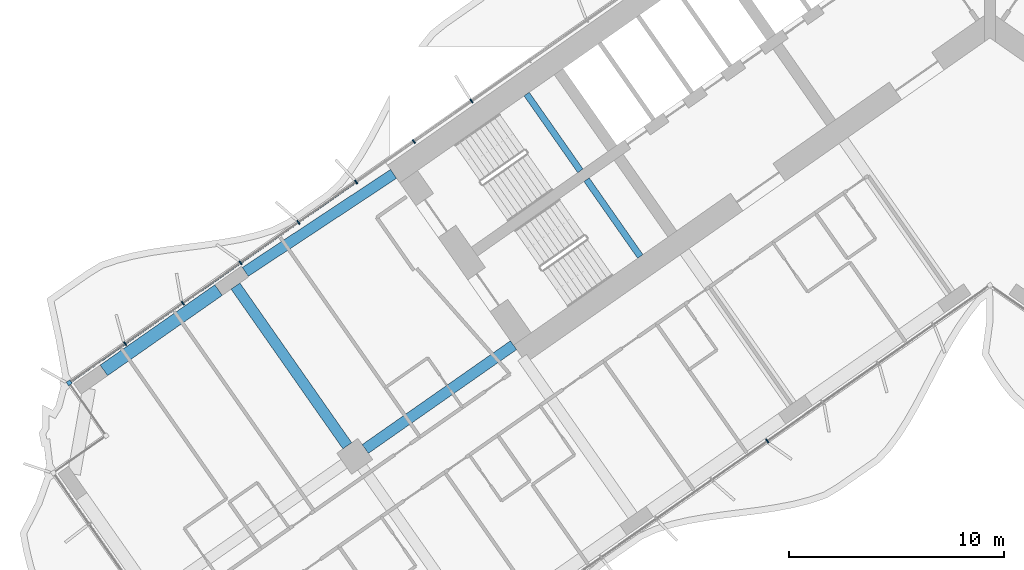
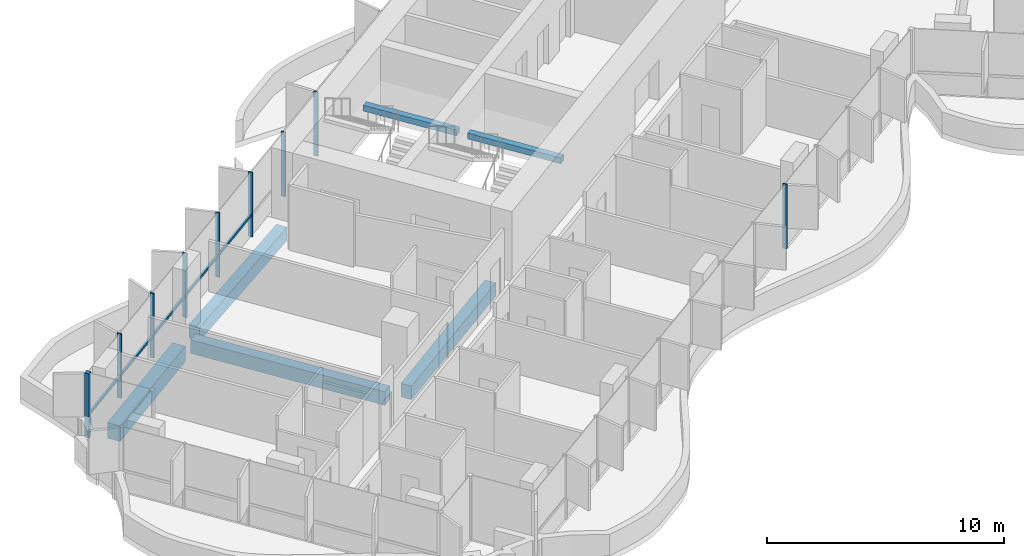
# One storey, part 4 of 25: 10 members, 6 beams, 2 elements without a shape of their own.
"""IFC4 building model written with IfcOpenShell, lengths in metres."""

from ifc_helpers import new_model, si_unit, direction, frame, origin, origin_2d, place, context, subcontext, project, spatial, rectangle, extrude, material, material_profile, profile_set, type_object, element, aggregate, save


model = new_model("IFC4")

# Units and contexts
model_context = context("Model", 3, precision=1e-05, world=origin(), true_north=direction((0.0, 1.0)))
body_context = subcontext(model_context, "Body", "Model", "MODEL_VIEW")
ifc_project = project(units=[si_unit("LENGTHUNIT", "METRE"), si_unit("AREAUNIT", "SQUARE_METRE"), si_unit("VOLUMEUNIT", "CUBIC_METRE"), si_unit("PLANEANGLEUNIT", "RADIAN"), si_unit("MASSUNIT", "GRAM", prefix="KILO")], contexts=[model_context])

# Site, building, storey
site_placement = place(None, origin())
site = spatial("IfcSite", under=ifc_project, at=site_placement, CompositionType="ELEMENT")
building_placement = place(site_placement, origin())
building = spatial("IfcBuilding", under=site, at=building_placement, Name="Tel Ilan Convention Tower", CompositionType="ELEMENT")
storey_placement = place(building_placement, frame((0.0, 0.0, 58.10009765625)))
storey = spatial("IfcBuildingStorey", under=building, at=storey_placement, Name="L09", CompositionType="ELEMENT", Elevation=58.10009765625)

# Beams
ifc_material_1 = material(Name="Concrete C40/50", Category="concrete")
ifc_material_profile_1 = material_profile(ifc_material_1, rectangle(XDim=0.5, YDim=0.699951171875, at=origin_2d()), Name="RC 500x700")
ifc_profile_set_1 = profile_set([ifc_material_profile_1], Name="Concrete C40/50")
beam_type_1 = type_object("IfcBeamType", Name="Beam RC 500x700 Concrete C40/50", PredefinedType="BEAM", material=ifc_profile_set_1)
beam_1_placement = place(storey_placement, frame((-34.570556640625, -12.08447265625, -0.630126953125), z_axis=(0.834273603487, 0.551350663847, 0.0), x_axis=(-0.551350663847, 0.834273603487, 0.0)))
element("IfcBeam", 1, at=beam_1_placement, inside=storey, type_object=beam_type_1, Name="L09 beam W-W-B4-core", PredefinedType="BEAM", context=body_context, shape_type="SweptSolid", body=[
    extrude(rectangle(XDim=0.5, YDim=0.699951171875, at=origin_2d()), origin(), (0.0, 0.0, 1.0), 8.2529296875),
])
beam_2_placement = place(storey_placement, frame((-22.1171875, -15.486572265625, -0.630126953125), z_axis=(-0.819147254605, -0.573583276668, 0.0), x_axis=(0.573583276668, -0.819147254605, 0.0)))
element("IfcBeam", 2, at=beam_2_placement, inside=storey, type_object=beam_type_1, Name="L09 beam W-core-W-M4", PredefinedType="BEAM", context=body_context, shape_type="SweptSolid", body=[
    extrude(rectangle(XDim=0.5, YDim=0.699951171875, at=origin_2d()), origin(), (0.0, 0.0, 1.0), 8.400146484375),
])
beam_3_placement = place(storey_placement, frame((-29.83349609375, -20.1572265625, -0.630126953125), z_axis=(-0.57358002233, 0.819149533348, 0.0), x_axis=(-0.819149533348, -0.57358002233, 0.0)))
element("IfcBeam", 3, at=beam_3_placement, inside=storey, type_object=beam_type_1, Name="L09 beam W-W-M4-W-B4", PredefinedType="BEAM", context=body_context, shape_type="SweptSolid", body=[
    extrude(rectangle(XDim=0.5, YDim=0.699951171875, at=origin_2d()), origin(), (0.0, 0.0, 1.0), 9.050048828125),
])
ifc_material_2 = material(Name="Concrete C40/50", Category="concrete")
ifc_material_profile_2 = material_profile(ifc_material_2, rectangle(XDim=0.60009765625, YDim=0.800048828125, at=origin_2d()), Name="RC 600x800")
ifc_profile_set_2 = profile_set([ifc_material_profile_2], Name="Concrete C40/50")
beam_type_2 = type_object("IfcBeamType", Name="Beam RC 600x800 Concrete C40/50", PredefinedType="BEAM", material=ifc_profile_set_2)
beam_4_placement = place(storey_placement, frame((-41.135498046875, -16.656494140625, -0.68017578125), z_axis=(0.819178980414, 0.573537965655, 0.0), x_axis=(-0.573537965655, 0.819178980414, 0.0)))
element("IfcBeam", 4, at=beam_4_placement, inside=storey, type_object=beam_type_2, Name="L09 beam W-W-BC-W-B4", PredefinedType="BEAM", context=body_context, shape_type="SweptSolid", body=[
    extrude(rectangle(XDim=0.60009765625, YDim=0.800048828125, at=origin_2d()), origin(), (0.0, 0.0, 1.0), 6.5),
])

# Curtain wall, member
ifc_material_3 = material(Name="Aluminium, bronze anodised", Category="aluminium")
curtain_wall_type_1 = type_object("IfcCurtainWallType", Name="CW1 UNITISED CURTAIN WALL, HOTEL TINTED GLASS", PredefinedType="NOTDEFINED", material=ifc_material_3)
curtain_wall_1_placement = place(storey_placement, origin())
curtain_wall_1 = element("IfcCurtainWall", 5, at=curtain_wall_1_placement, inside=storey, type_object=curtain_wall_type_1, Name="Curtain wall CW1-11.02", PredefinedType="NOTDEFINED")
ifc_material_4 = material(Name="Aluminium, bronze anodised", Category="aluminium")
ifc_material_profile_3 = material_profile(ifc_material_4, rectangle(XDim=0.199951171875, YDim=0.199951171875, at=origin_2d()), Name="CW CORNER MULLION 200x200")
ifc_profile_set_3 = profile_set([ifc_material_profile_3], Name="Aluminium, bronze anodised")
member_type_1 = type_object("IfcMemberType", Name="CW CORNER MULLION 200x200", PredefinedType="MULLION", material=ifc_profile_set_3)
member_1_placement = place(storey_placement, frame((-42.7451171875, -17.234375, 0.0), z_axis=(0.0, 0.0, 1.0), x_axis=(-0.819152044289, -0.573576436351, 0.0)))
member_1 = element("IfcMember", 6, at=member_1_placement, type_object=member_type_1, Name="Corner mullion", PredefinedType="MULLION", context=body_context, shape_type="SweptSolid", body=[
    extrude(rectangle(XDim=0.199951171875, YDim=0.199951171875, at=origin_2d()), origin(), (0.0, 0.0, 1.0), 3.31982421875),
])

# Curtain wall, members
ifc_material_5 = material(Name="Aluminium, bronze anodised", Category="aluminium")
curtain_wall_type_2 = type_object("IfcCurtainWallType", Name="CW2 STICK CURTAIN WALL, SPANDREL PANELS", PredefinedType="NOTDEFINED", material=ifc_material_5)
curtain_wall_2_placement = place(storey_placement, origin())
curtain_wall_2 = element("IfcCurtainWall", 7, at=curtain_wall_2_placement, inside=storey, type_object=curtain_wall_type_2, Name="Curtain wall CW2-11.01", PredefinedType="NOTDEFINED")
ifc_material_6 = material(Name="Aluminium, bronze anodised", Category="aluminium")
ifc_material_profile_4 = material_profile(ifc_material_6, rectangle(XDim=0.06005859375, YDim=0.199951171875, at=origin_2d()), Name="CW MULLION 60x200")
ifc_profile_set_4 = profile_set([ifc_material_profile_4], Name="Aluminium, bronze anodised")
member_type_2 = type_object("IfcMemberType", Name="CW MULLION 60x200", PredefinedType="MULLION", material=ifc_profile_set_4)
member_2_placement = place(storey_placement, frame((-24.065185546875, -4.154541015625, 0.0), z_axis=(0.0, 0.0, 1.0), x_axis=(-0.819152044289, -0.573576436351, 0.0)))
member_2 = element("IfcMember", 8, at=member_2_placement, type_object=member_type_2, Name="Mullion", PredefinedType="MULLION", context=body_context, shape_type="SweptSolid", body=[
    extrude(rectangle(XDim=0.06005859375, YDim=0.199951171875, at=origin_2d()), origin(), (0.0, 0.0, 1.0), 3.31982421875),
])
member_3_placement = place(storey_placement, frame((-26.745361328125, -6.03125, 0.0), z_axis=(0.0, 0.0, 1.0), x_axis=(-0.819152044289, -0.573576436351, 0.0)))
member_3 = element("IfcMember", 9, at=member_3_placement, type_object=member_type_2, Name="Mullion", PredefinedType="MULLION", context=body_context, shape_type="SweptSolid", body=[
    extrude(rectangle(XDim=0.06005859375, YDim=0.199951171875, at=origin_2d()), origin(), (0.0, 0.0, 1.0), 3.31982421875),
])
member_4_placement = place(storey_placement, frame((-29.42578125, -7.907958984375, 0.0), z_axis=(0.0, 0.0, 1.0), x_axis=(-0.819152044289, -0.573576436351, 0.0)))
member_4 = element("IfcMember", 10, at=member_4_placement, type_object=member_type_2, Name="Mullion", PredefinedType="MULLION", context=body_context, shape_type="SweptSolid", body=[
    extrude(rectangle(XDim=0.06005859375, YDim=0.199951171875, at=origin_2d()), origin(), (0.0, 0.0, 1.0), 3.31982421875),
])
aggregate(curtain_wall_2, [member_2, member_3, member_4])

# Member
member_5_placement = place(storey_placement, frame((-32.10595703125, -9.78466796875, 0.0), z_axis=(0.0, 0.0, 1.0), x_axis=(-0.819152044289, -0.573576436351, 0.0)))
member_5 = element("IfcMember", 11, at=member_5_placement, type_object=member_type_2, Name="Mullion", PredefinedType="MULLION", context=body_context, shape_type="SweptSolid", body=[
    extrude(rectangle(XDim=0.06005859375, YDim=0.199951171875, at=origin_2d()), origin(), (0.0, 0.0, 1.0), 3.31982421875),
])

member_6_placement = place(storey_placement, frame((-34.7861328125, -11.66162109375, 0.0), z_axis=(0.0, 0.0, 1.0), x_axis=(-0.819152044289, -0.573576436351, 0.0)))
member_6 = element("IfcMember", 12, at=member_6_placement, type_object=member_type_2, Name="Mullion", PredefinedType="MULLION", context=body_context, shape_type="SweptSolid", body=[
    extrude(rectangle(XDim=0.06005859375, YDim=0.199951171875, at=origin_2d()), origin(), (0.0, 0.0, 1.0), 3.31982421875),
])

member_7_placement = place(storey_placement, frame((-37.466552734375, -13.538330078125, 0.0), z_axis=(0.0, 0.0, 1.0), x_axis=(-0.819152044289, -0.573576436351, 0.0)))
member_7 = element("IfcMember", 13, at=member_7_placement, type_object=member_type_2, Name="Mullion", PredefinedType="MULLION", context=body_context, shape_type="SweptSolid", body=[
    extrude(rectangle(XDim=0.06005859375, YDim=0.199951171875, at=origin_2d()), origin(), (0.0, 0.0, 1.0), 3.31982421875),
])

member_8_placement = place(storey_placement, frame((-40.146728515625, -15.4150390625, 0.0), z_axis=(0.0, 0.0, 1.0), x_axis=(-0.819152044289, -0.573576436351, 0.0)))
member_8 = element("IfcMember", 14, at=member_8_placement, type_object=member_type_2, Name="Mullion", PredefinedType="MULLION", context=body_context, shape_type="SweptSolid", body=[
    extrude(rectangle(XDim=0.06005859375, YDim=0.199951171875, at=origin_2d()), origin(), (0.0, 0.0, 1.0), 3.31982421875),
])

member_9_placement = place(storey_placement, frame((-10.337158203125, -19.93408203125, 0.0), z_axis=(0.0, 0.0, 1.0), x_axis=(0.819152044289, 0.573576436351, 0.0)))
member_9 = element("IfcMember", 15, at=member_9_placement, type_object=member_type_2, Name="Mullion", PredefinedType="MULLION", context=body_context, shape_type="SweptSolid", body=[
    extrude(rectangle(XDim=0.06005859375, YDim=0.199951171875, at=origin_2d()), origin(), (0.0, 0.0, 1.0), 3.31982421875),
])

ifc_material_7 = material(Name="Aluminium, bronze anodised", Category="aluminium")
ifc_material_profile_5 = material_profile(ifc_material_7, rectangle(XDim=0.10009765625, YDim=0.1201171875, at=origin_2d()), Name="CW TRANSOM 100x120")
ifc_profile_set_5 = profile_set([ifc_material_profile_5], Name="Aluminium, bronze anodised")
member_type_3 = type_object("IfcMemberType", Name="CW TRANSOM 100x120", PredefinedType="USERDEFINED", material=ifc_profile_set_5)
member_10_placement = place(storey_placement, frame((-29.4501953125, -7.92529296875, 1.099853515625), z_axis=(-0.819153693934, -0.573574080407, 0.0), x_axis=(0.573574080407, -0.819153693934, 0.0)))
member_10 = element("IfcMember", 16, at=member_10_placement, type_object=member_type_3, Name="Transom", ObjectType="TRANSOM", PredefinedType="USERDEFINED", context=body_context, shape_type="SweptSolid", body=[
    extrude(rectangle(XDim=0.10009765625, YDim=0.1201171875, at=origin_2d()), origin(), (0.0, 0.0, 1.0), 16.1298828125),
])

aggregate(curtain_wall_1, [member_5, member_6, member_7, member_8, member_1, member_10, member_9])

# Beams
ifc_material_8 = material(Name="Concrete C40/50", Category="concrete")
ifc_material_profile_6 = material_profile(ifc_material_8, rectangle(XDim=0.300048828125, YDim=0.300048828125, at=origin_2d()), Name="RC 300x300")
ifc_profile_set_6 = profile_set([ifc_material_profile_6], Name="Concrete C40/50")
beam_type_3 = type_object("IfcBeamType", Name="Landing Beam RC 300x300 Concrete C40/50", PredefinedType="BEAM", material=ifc_profile_set_6)
beam_5_placement = place(storey_placement, frame((-19.013671875, -7.392822265625, 1.449951171875), z_axis=(-0.57356780395, 0.819158088694, 0.0), x_axis=(-0.819158088694, -0.57356780395, 0.0)))
element("IfcBeam", 17, at=beam_5_placement, inside=storey, type_object=beam_type_3, Name="S1 landing beam L09.1", PredefinedType="BEAM", context=body_context, shape_type="SweptSolid", body=[
    extrude(rectangle(XDim=0.300048828125, YDim=0.300048828125, at=origin_2d()), origin(), (0.0, 0.0, 1.0), 4.35009765625),
])
beam_6_placement = place(storey_placement, frame((-16.231689453125, -11.365478515625, 1.449951171875), z_axis=(-0.573594173421, 0.819139624372, 0.0), x_axis=(-0.819139624372, -0.573594173421, 0.0)))
element("IfcBeam", 18, at=beam_6_placement, inside=storey, type_object=beam_type_3, Name="S2 landing beam L09.1", PredefinedType="BEAM", context=body_context, shape_type="SweptSolid", body=[
    extrude(rectangle(XDim=0.300048828125, YDim=0.300048828125, at=origin_2d()), origin(), (0.0, 0.0, 1.0), 4.349853515625),
])

save(model, "model.ifc")
